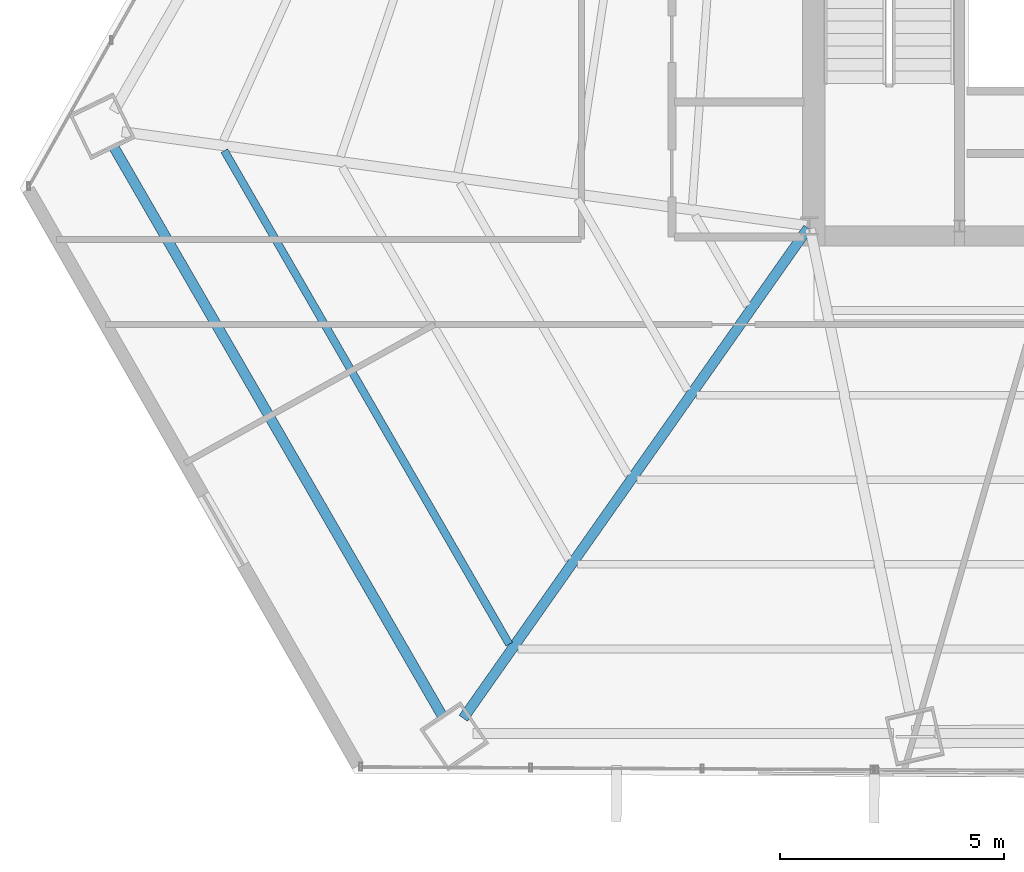
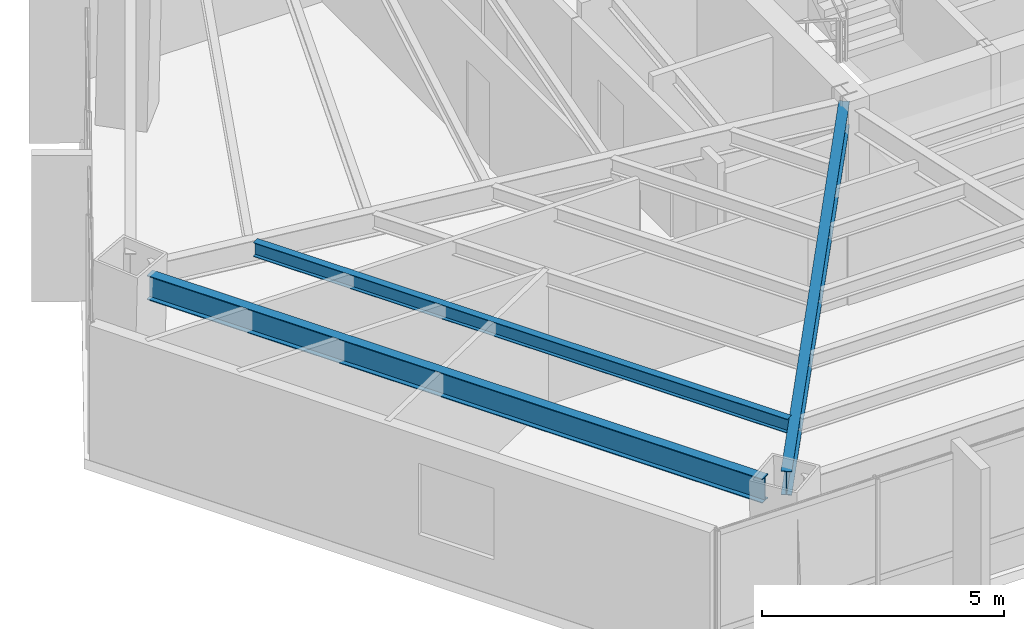
# One storey, part 5 of 35: 3 beams.
"""IFC4 building model written with IfcOpenShell, lengths in metres."""

from ifc_helpers import new_model, si_unit, direction, frame, origin, origin_2d, place, context, subcontext, project, spatial, i_section, extrude, source, transform, mapped, material, material_profile, profile_set, type_object, type_shapes, element, save


model = new_model("IFC4")

# Units and contexts
model_context = context("Model", 3, precision=1e-05, world=origin(), true_north=direction((0.0, 1.0)))
body_context = subcontext(model_context, "Body", "Model", "MODEL_VIEW")
ifc_project = project(units=[si_unit("LENGTHUNIT", "METRE"), si_unit("AREAUNIT", "SQUARE_METRE"), si_unit("VOLUMEUNIT", "CUBIC_METRE"), si_unit("PLANEANGLEUNIT", "RADIAN"), si_unit("MASSUNIT", "GRAM", prefix="KILO")], contexts=[model_context])

# Site, building, storey
site_placement = place(None, origin())
site = spatial("IfcSite", under=ifc_project, at=site_placement, CompositionType="ELEMENT")
building_placement = place(site_placement, origin())
building = spatial("IfcBuilding", under=site, at=building_placement, Name="Caelisora Broadcast Tower", CompositionType="ELEMENT")
storey_placement = place(building_placement, frame((0.0, 0.0, 87.14990234375)))
storey = spatial("IfcBuildingStorey", under=building, at=storey_placement, Name="L22", CompositionType="ELEMENT", Elevation=87.14990234375)

# Beams
ifc_material = material(Name="Steel Grade 350 (AS/NZS 3679.1)", Category="steel")
ifc_material_profile_1 = material_profile(ifc_material, i_section(OverallWidth=0.22900390625, OverallDepth=0.611572265625, WebThickness=0.011962890625, FlangeThickness=0.01953125, at=origin_2d()), Name="Steel Grade 350 (AS/NZS 3679.1)")
ifc_profile_set_1 = profile_set([ifc_material_profile_1], Name="Steel Grade 350 (AS/NZS 3679.1)")
beam_type_1 = type_object("IfcBeamType", Name="PG03", PredefinedType="BEAM", material=ifc_profile_set_1)
shared_shape_1 = source(origin(), body_context, "Body", "SweptSolid", [
    extrude(i_section(OverallWidth=0.22900390625, OverallDepth=0.611572265625, WebThickness=0.011962890625, FlangeThickness=0.01953125, at=origin_2d()), origin(), (0.0, 0.0, 1.0), 14.68359375),
])
type_shapes(beam_type_1, [shared_shape_1])
beam_1_placement = place(storey_placement, frame((14.944580078125, 19.16650390625, 3.09423828125), z_axis=(0.500014139415, -0.866017240235, 0.0), x_axis=(0.866017240235, 0.500014139415, 0.0)))
element("IfcBeam", 1, at=beam_1_placement, inside=storey, type_object=beam_type_1, Name="L22 beam PG03", PredefinedType="BEAM", context=body_context, shape_type="MappedRepresentation", body=[
    mapped(shared_shape_1, transform((0.0, 0.0, 0.0), scale=1.0)),
])
ifc_material_profile_2 = material_profile(ifc_material, i_section(OverallWidth=0.22802734375, OverallDepth=0.602294921875, WebThickness=0.010498046875, FlangeThickness=0.014892578125, at=origin_2d()), Name="Steel Grade 350 (AS/NZS 3679.1)")
ifc_profile_set_2 = profile_set([ifc_material_profile_2], Name="Steel Grade 350 (AS/NZS 3679.1)")
beam_type_2 = type_object("IfcBeamType", Name="PG04", PredefinedType="BEAM", material=ifc_profile_set_2)
shared_shape_2 = source(origin(), body_context, "Body", "SweptSolid", [
    extrude(i_section(OverallWidth=0.22802734375, OverallDepth=0.602294921875, WebThickness=0.010498046875, FlangeThickness=0.014892578125, at=origin_2d()), origin(), (0.0, 0.0, 1.0), 13.39501953125),
])
type_shapes(beam_type_2, [shared_shape_2])
beam_2_placement = place(storey_placement, frame((30.465576171875, 17.350830078125, 3.098876953125), z_axis=(-0.5753836925, -0.817883614217, 0.0), x_axis=(0.817883614217, -0.5753836925, 0.0)))
element("IfcBeam", 2, at=beam_2_placement, inside=storey, type_object=beam_type_2, Name="L22 beam PG04", PredefinedType="BEAM", context=body_context, shape_type="MappedRepresentation", body=[
    mapped(shared_shape_2, transform((0.0, 0.0, 0.0), scale=1.0)),
])
ifc_material_profile_3 = material_profile(ifc_material, i_section(OverallWidth=0.172119140625, OverallDepth=0.358642578125, WebThickness=0.008056640625, FlangeThickness=0.012939453125, at=origin_2d()), Name="Steel Grade 350 (AS/NZS 3679.1)")
ifc_profile_set_3 = profile_set([ifc_material_profile_3], Name="Steel Grade 350 (AS/NZS 3679.1)")
beam_type_3 = type_object("IfcBeamType", Name="SB02", PredefinedType="JOIST", material=ifc_profile_set_3)
shared_shape_3 = source(origin(), body_context, "Body", "SweptSolid", [
    extrude(i_section(OverallWidth=0.172119140625, OverallDepth=0.358642578125, WebThickness=0.008056640625, FlangeThickness=0.012939453125, at=origin_2d()), origin(), (0.0, 0.0, 1.0), 12.739013671875),
])
type_shapes(beam_type_3, [shared_shape_3])
beam_3_placement = place(storey_placement, frame((17.416259765625, 19.081787109375, 3.220703125), z_axis=(0.499987332365, -0.866032717323, 0.0), x_axis=(0.866032717323, 0.499987332365, 0.0)))
element("IfcBeam", 3, at=beam_3_placement, inside=storey, type_object=beam_type_3, Name="L22 beam SB02", PredefinedType="JOIST", context=body_context, shape_type="MappedRepresentation", body=[
    mapped(shared_shape_3, transform((0.0, 0.0, 0.0), scale=1.0)),
])

save(model, "model.ifc")
